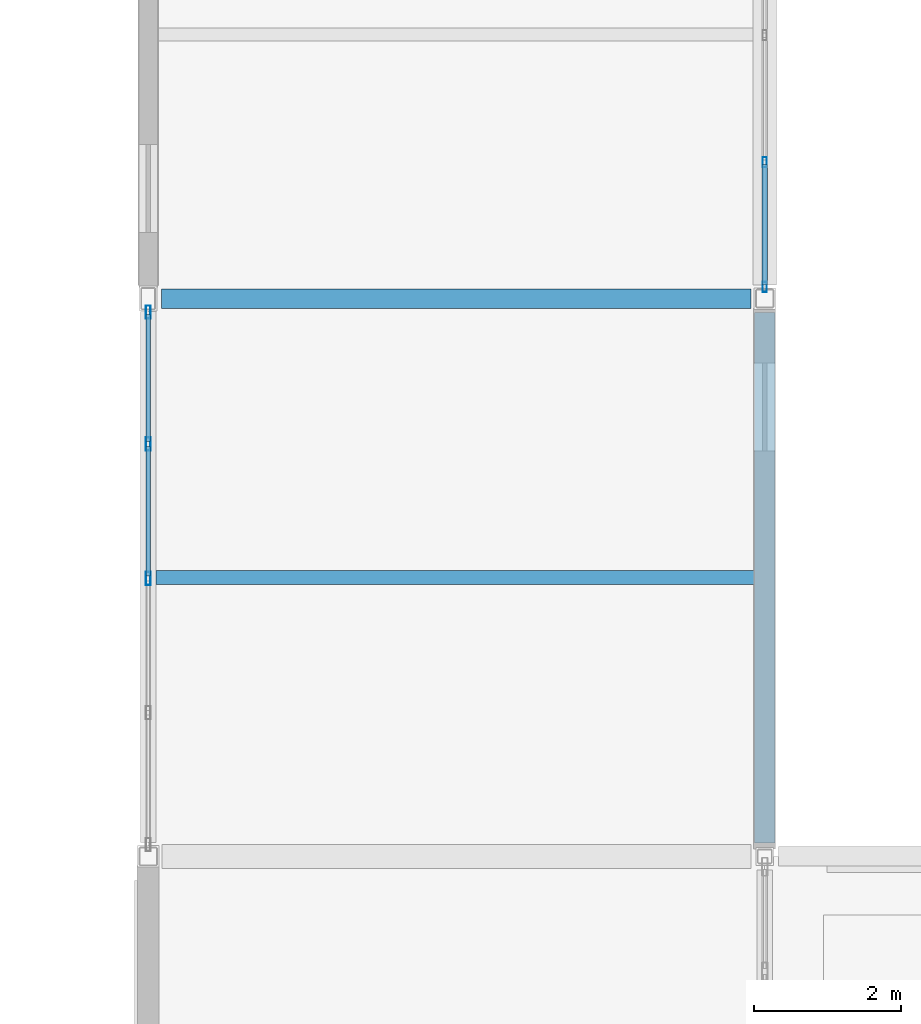
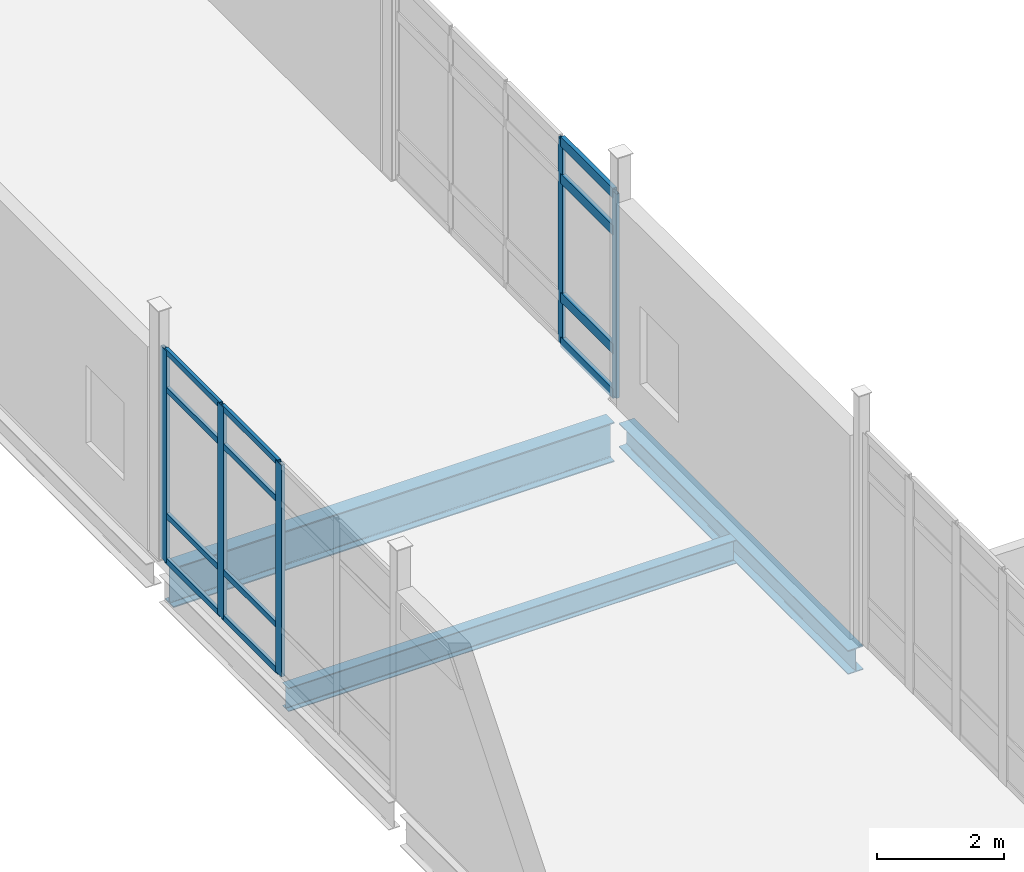
# One storey, part 52 of 153: 17 members, 3 beams, 2 elements without a shape of their own.
"""IFC4 building model written with IfcOpenShell, lengths in metres."""

from ifc_helpers import new_model, si_unit, direction, frame, origin, origin_2d, place, context, subcontext, project, spatial, hollow_rectangle, i_section, extrude, material, layer, layer_set, material_profile, profile_set, type_object, element, aggregate, save


model = new_model("IFC4")

# Units and contexts
model_context = context("Model", 3, precision=1e-05, world=origin(), true_north=direction((0.0, 1.0)))
body_context = subcontext(model_context, "Body", "Model", "MODEL_VIEW")
ifc_project = project(units=[si_unit("LENGTHUNIT", "METRE"), si_unit("AREAUNIT", "SQUARE_METRE"), si_unit("VOLUMEUNIT", "CUBIC_METRE"), si_unit("PLANEANGLEUNIT", "RADIAN"), si_unit("MASSUNIT", "GRAM", prefix="KILO")], contexts=[model_context])

# Site, building, storey
site_placement = place(None, origin())
site = spatial("IfcSite", under=ifc_project, at=site_placement, CompositionType="ELEMENT")
building_placement = place(site_placement, origin())
building = spatial("IfcBuilding", under=site, at=building_placement, Name="Calvrana Isthmian Art Gallery", CompositionType="ELEMENT")
storey_placement = place(building_placement, frame((0.0, 0.0, 10.199951171875)))
storey = spatial("IfcBuildingStorey", under=building, at=storey_placement, Name="L02", CompositionType="ELEMENT", Elevation=10.199951171875)

# Beams
ifc_material_1 = material(Name="Steel ASTM A992 Gr 50", Category="steel")
ifc_material_profile_1 = material_profile(ifc_material_1, i_section(OverallWidth=0.279052734375, OverallDepth=0.4619140625, WebThickness=0.0107421875, FlangeThickness=0.017333984375, FilletRadius=0.02001953125, at=origin_2d()), Name="W18X76")
ifc_profile_set_1 = profile_set([ifc_material_profile_1], Name="Steel ASTM A992 Gr 50")
beam_type_1 = type_object("IfcBeamType", Name="BM-G-W18X76", PredefinedType="BEAM", material=ifc_profile_set_1)
beam_1_placement = place(storey_placement, frame((63.60009765625, 62.18408203125, -0.495849609375), z_axis=(0.0, 1.0, 0.0), x_axis=(-1.0, 0.0, 0.0)))
element("IfcBeam", 1, at=beam_1_placement, inside=storey, type_object=beam_type_1, Name="Girder Y L02 09/I-J", PredefinedType="BEAM", context=body_context, shape_type="SweptSolid", body=[
    extrude(i_section(OverallWidth=0.279052734375, OverallDepth=0.4619140625, WebThickness=0.0107421875, FlangeThickness=0.017333984375, FilletRadius=0.02001953125, at=origin_2d()), origin(), (0.0, 0.0, 1.0), 7.2294921875),
])
ifc_material_profile_2 = material_profile(ifc_material_1, i_section(OverallWidth=0.26708984375, OverallDepth=0.761962890625, WebThickness=0.014404296875, FlangeThickness=0.021484375, FilletRadius=0.02490234375, at=origin_2d()), Name="W30X116")
ifc_profile_set_2 = profile_set([ifc_material_profile_2], Name="Steel ASTM A992 Gr 50")
beam_type_2 = type_object("IfcBeamType", Name="BM-G-W30X116", PredefinedType="BEAM", material=ifc_profile_set_2)
beam_2_placement = place(storey_placement, frame((55.384033203125, 69.60009765625, -0.64599609375), z_axis=(1.0, 0.0, 0.0), x_axis=(0.0, 1.0, 0.0)))
element("IfcBeam", 2, at=beam_2_placement, inside=storey, type_object=beam_type_2, Name="Girder X L02 08-09/J", PredefinedType="BEAM", context=body_context, shape_type="SweptSolid", body=[
    extrude(i_section(OverallWidth=0.26708984375, OverallDepth=0.761962890625, WebThickness=0.014404296875, FlangeThickness=0.021484375, FilletRadius=0.02490234375, at=origin_2d()), origin(), (0.0, 0.0, 1.0), 8.029541015625),
])
ifc_material_profile_3 = material_profile(ifc_material_1, i_section(OverallWidth=0.19091796875, OverallDepth=0.45703125, WebThickness=0.009033203125, FlangeThickness=0.014404296875, FilletRadius=0.02001953125, at=origin_2d()), Name="W18X50")
ifc_profile_set_3 = profile_set([ifc_material_profile_3], Name="Steel ASTM A992 Gr 50")
beam_type_3 = type_object("IfcBeamType", Name="BM-J-W18X50", PredefinedType="JOIST", material=ifc_profile_set_3)
beam_3_placement = place(storey_placement, frame((55.304443359375, 65.800048828125, -0.493408203125), z_axis=(1.0, 0.0, 0.0), x_axis=(0.0, 1.0, 0.0)))
element("IfcBeam", 3, at=beam_3_placement, inside=storey, type_object=beam_type_3, Name="Composite joist L02 bay 07-08", PredefinedType="JOIST", context=body_context, shape_type="SweptSolid", body=[
    extrude(i_section(OverallWidth=0.19091796875, OverallDepth=0.45703125, WebThickness=0.009033203125, FlangeThickness=0.014404296875, FilletRadius=0.02001953125, at=origin_2d()), origin(), (0.0, 0.0, 1.0), 8.156005859375),
])

# Curtain wall, members
ifc_material_2 = material(Name="Anodized bronze aluminium 6063-T6", Category="aluminium")
ifc_layer_1 = layer(ifc_material_2, 0.179931640625, Name="Anodized bronze aluminium 6063-T6")
ifc_layer_set_1 = layer_set([ifc_layer_1], Name="Anodized bronze aluminium 6063-T6")
curtain_wall_type_1 = type_object("IfcCurtainWallType", Name="CW-UNIT-069X39", PredefinedType="USERDEFINED", material=ifc_layer_set_1)
curtain_wall_1_placement = place(storey_placement, origin())
curtain_wall_1 = element("IfcCurtainWall", 4, at=curtain_wall_1_placement, inside=storey, type_object=curtain_wall_type_1, Name="Curtain wall CW-174", ObjectType="UNITISED CURTAIN WALL", PredefinedType="USERDEFINED")
ifc_material_profile_4 = material_profile(ifc_material_2, hollow_rectangle(XDim=0.06005859375, YDim=0.139892578125, WallThickness=0.00390625, at=origin_2d()), Name="CWM60X140")
ifc_profile_set_4 = profile_set([ifc_material_profile_4], Name="Anodized bronze aluminium 6063-T6")
member_type_1 = type_object("IfcMemberType", Name="CWM-CWM60X140", PredefinedType="MULLION", material=ifc_profile_set_4)
member_1_placement = place(storey_placement, frame((63.60009765625, 71.45703125, 0.0), z_axis=(0.0, 0.0, 1.0), x_axis=(1.0, 0.0, 0.0)))
member_1 = element("IfcMember", 5, at=member_1_placement, type_object=member_type_1, Name="CW-174 mullion 4", PredefinedType="MULLION", context=body_context, shape_type="SweptSolid", body=[
    extrude(hollow_rectangle(XDim=0.06005859375, YDim=0.139892578125, WallThickness=0.00390625, at=origin_2d()), origin(), (0.0, 0.0, 1.0), 3.93310546875),
])
member_2_placement = place(storey_placement, frame((63.60009765625, 69.757080078125, 0.0), z_axis=(0.0, 0.0, 1.0), x_axis=(1.0, 0.0, 0.0)))
member_2 = element("IfcMember", 6, at=member_2_placement, type_object=member_type_1, Name="CW-174 mullion 5", PredefinedType="MULLION", context=body_context, shape_type="SweptSolid", body=[
    extrude(hollow_rectangle(XDim=0.06005859375, YDim=0.139892578125, WallThickness=0.00390625, at=origin_2d()), origin(), (0.0, 0.0, 1.0), 3.93310546875),
])

ifc_layer_2 = layer(ifc_material_2, 0.179931640625, Name="Anodized bronze aluminium 6063-T6")
ifc_layer_set_2 = layer_set([ifc_layer_2], Name="Anodized bronze aluminium 6063-T6")
curtain_wall_type_2 = type_object("IfcCurtainWallType", Name="CW-UNIT-073X41", PredefinedType="USERDEFINED", material=ifc_layer_set_2)
curtain_wall_2_placement = place(storey_placement, origin())
curtain_wall_2 = element("IfcCurtainWall", 7, at=curtain_wall_2_placement, inside=storey, type_object=curtain_wall_type_2, Name="Curtain wall CW-170", ObjectType="UNITISED CURTAIN WALL", PredefinedType="USERDEFINED")
ifc_material_profile_5 = material_profile(ifc_material_2, hollow_rectangle(XDim=0.06494140625, YDim=0.179931640625, WallThickness=0.00439453125, at=origin_2d()), Name="CWM65X180")
ifc_profile_set_5 = profile_set([ifc_material_profile_5], Name="Anodized bronze aluminium 6063-T6")
member_type_2 = type_object("IfcMemberType", Name="CWM-CWM65X180", PredefinedType="MULLION", material=ifc_profile_set_5)
member_3_placement = place(storey_placement, frame((55.199951171875, 65.787353515625, 0.0), z_axis=(0.0, 0.0, 1.0), x_axis=(-1.0, 0.0, 0.0)))
member_3 = element("IfcMember", 8, at=member_3_placement, type_object=member_type_2, Name="CW-170 mullion 3", PredefinedType="MULLION", context=body_context, shape_type="SweptSolid", body=[
    extrude(hollow_rectangle(XDim=0.06494140625, YDim=0.179931640625, WallThickness=0.00439453125, at=origin_2d()), origin(), (0.0, 0.0, 1.0), 4.078125),
])
member_4_placement = place(storey_placement, frame((55.199951171875, 67.617431640625, 0.0), z_axis=(0.0, 0.0, 1.0), x_axis=(-1.0, 0.0, 0.0)))
member_4 = element("IfcMember", 9, at=member_4_placement, type_object=member_type_2, Name="CW-170 mullion 4", PredefinedType="MULLION", context=body_context, shape_type="SweptSolid", body=[
    extrude(hollow_rectangle(XDim=0.06494140625, YDim=0.179931640625, WallThickness=0.00439453125, at=origin_2d()), origin(), (0.0, 0.0, 1.0), 4.078125),
])
member_5_placement = place(storey_placement, frame((55.199951171875, 69.4150390625, 0.0), z_axis=(0.0, 0.0, 1.0), x_axis=(-1.0, 0.0, 0.0)))
member_5 = element("IfcMember", 10, at=member_5_placement, type_object=member_type_2, Name="CW-170 mullion 5", PredefinedType="MULLION", context=body_context, shape_type="SweptSolid", body=[
    extrude(hollow_rectangle(XDim=0.06494140625, YDim=0.179931640625, WallThickness=0.00439453125, at=origin_2d()), origin(), (0.0, 0.0, 1.0), 4.078125),
])
ifc_material_profile_6 = material_profile(ifc_material_2, hollow_rectangle(XDim=0.06005859375, YDim=0.110107421875, WallThickness=0.00341796875, at=origin_2d()), Name="CWT60X110")
ifc_profile_set_6 = profile_set([ifc_material_profile_6], Name="Anodized bronze aluminium 6063-T6")
member_type_3 = type_object("IfcMemberType", Name="CWT-CWT60X110", PredefinedType="USERDEFINED", material=ifc_profile_set_6)
member_6_placement = place(storey_placement, frame((55.199951171875, 65.81982421875, 0.030029296875), z_axis=(0.0, 1.0, 0.0), x_axis=(-1.0, 0.0, 0.0)))
member_6 = element("IfcMember", 11, at=member_6_placement, type_object=member_type_3, Name="CW-170 transom 3.1", ObjectType="TRANSOM", PredefinedType="USERDEFINED", context=body_context, shape_type="SweptSolid", body=[
    extrude(hollow_rectangle(XDim=0.06005859375, YDim=0.110107421875, WallThickness=0.00341796875, at=origin_2d()), origin(), (0.0, 0.0, 1.0), 1.76513671875),
])
member_7_placement = place(storey_placement, frame((55.199951171875, 65.81982421875, 0.900146484375), z_axis=(0.0, 1.0, 0.0), x_axis=(-1.0, 0.0, 0.0)))
member_7 = element("IfcMember", 12, at=member_7_placement, type_object=member_type_3, Name="CW-170 transom 3.2", ObjectType="TRANSOM", PredefinedType="USERDEFINED", context=body_context, shape_type="SweptSolid", body=[
    extrude(hollow_rectangle(XDim=0.06005859375, YDim=0.110107421875, WallThickness=0.00341796875, at=origin_2d()), origin(), (0.0, 0.0, 1.0), 1.76513671875),
])
member_8_placement = place(storey_placement, frame((55.199951171875, 65.81982421875, 3.328125), z_axis=(0.0, 1.0, 0.0), x_axis=(-1.0, 0.0, 0.0)))
member_8 = element("IfcMember", 13, at=member_8_placement, type_object=member_type_3, Name="CW-170 transom 3.3", ObjectType="TRANSOM", PredefinedType="USERDEFINED", context=body_context, shape_type="SweptSolid", body=[
    extrude(hollow_rectangle(XDim=0.06005859375, YDim=0.110107421875, WallThickness=0.00341796875, at=origin_2d()), origin(), (0.0, 0.0, 1.0), 1.76513671875),
])
member_9_placement = place(storey_placement, frame((55.199951171875, 65.81982421875, 4.048095703125), z_axis=(0.0, 1.0, 0.0), x_axis=(-1.0, 0.0, 0.0)))
member_9 = element("IfcMember", 14, at=member_9_placement, type_object=member_type_3, Name="CW-170 transom 3.4", ObjectType="TRANSOM", PredefinedType="USERDEFINED", context=body_context, shape_type="SweptSolid", body=[
    extrude(hollow_rectangle(XDim=0.06005859375, YDim=0.110107421875, WallThickness=0.00341796875, at=origin_2d()), origin(), (0.0, 0.0, 1.0), 1.76513671875),
])
member_10_placement = place(storey_placement, frame((55.199951171875, 67.64990234375, 0.030029296875), z_axis=(0.0, 1.0, 0.0), x_axis=(-1.0, 0.0, 0.0)))
member_10 = element("IfcMember", 15, at=member_10_placement, type_object=member_type_3, Name="CW-170 transom 4.1", ObjectType="TRANSOM", PredefinedType="USERDEFINED", context=body_context, shape_type="SweptSolid", body=[
    extrude(hollow_rectangle(XDim=0.06005859375, YDim=0.110107421875, WallThickness=0.00341796875, at=origin_2d()), origin(), (0.0, 0.0, 1.0), 1.732666015625),
])
member_11_placement = place(storey_placement, frame((55.199951171875, 67.64990234375, 0.900146484375), z_axis=(0.0, 1.0, 0.0), x_axis=(-1.0, 0.0, 0.0)))
member_11 = element("IfcMember", 16, at=member_11_placement, type_object=member_type_3, Name="CW-170 transom 4.2", ObjectType="TRANSOM", PredefinedType="USERDEFINED", context=body_context, shape_type="SweptSolid", body=[
    extrude(hollow_rectangle(XDim=0.06005859375, YDim=0.110107421875, WallThickness=0.00341796875, at=origin_2d()), origin(), (0.0, 0.0, 1.0), 1.732666015625),
])
member_12_placement = place(storey_placement, frame((55.199951171875, 67.64990234375, 3.328125), z_axis=(0.0, 1.0, 0.0), x_axis=(-1.0, 0.0, 0.0)))
member_12 = element("IfcMember", 17, at=member_12_placement, type_object=member_type_3, Name="CW-170 transom 4.3", ObjectType="TRANSOM", PredefinedType="USERDEFINED", context=body_context, shape_type="SweptSolid", body=[
    extrude(hollow_rectangle(XDim=0.06005859375, YDim=0.110107421875, WallThickness=0.00341796875, at=origin_2d()), origin(), (0.0, 0.0, 1.0), 1.732666015625),
])
member_13_placement = place(storey_placement, frame((55.199951171875, 67.64990234375, 4.048095703125), z_axis=(0.0, 1.0, 0.0), x_axis=(-1.0, 0.0, 0.0)))
member_13 = element("IfcMember", 18, at=member_13_placement, type_object=member_type_3, Name="CW-170 transom 4.4", ObjectType="TRANSOM", PredefinedType="USERDEFINED", context=body_context, shape_type="SweptSolid", body=[
    extrude(hollow_rectangle(XDim=0.06005859375, YDim=0.110107421875, WallThickness=0.00341796875, at=origin_2d()), origin(), (0.0, 0.0, 1.0), 1.732666015625),
])
aggregate(curtain_wall_2, [member_3, member_4, member_5, member_6, member_7, member_8, member_9, member_10, member_11, member_12, member_13])

# Member
ifc_material_profile_7 = material_profile(ifc_material_2, hollow_rectangle(XDim=0.074951171875, YDim=0.18994140625, WallThickness=0.00439453125, at=origin_2d()), Name="CWT75X190")
ifc_profile_set_7 = profile_set([ifc_material_profile_7], Name="Anodized bronze aluminium 6063-T6")
member_type_4 = type_object("IfcMemberType", Name="CWT-CWT75X190", PredefinedType="USERDEFINED", material=ifc_profile_set_7)
member_14_placement = place(storey_placement, frame((63.60009765625, 71.42724609375, 0.03759765625), z_axis=(0.0, -1.0, 0.0), x_axis=(1.0, 0.0, 0.0)))
member_14 = element("IfcMember", 19, at=member_14_placement, type_object=member_type_4, Name="CW-174 transom 4.1", ObjectType="TRANSOM", PredefinedType="USERDEFINED", context=body_context, shape_type="SweptSolid", body=[
    extrude(hollow_rectangle(XDim=0.074951171875, YDim=0.18994140625, WallThickness=0.00439453125, at=origin_2d()), origin(), (0.0, 0.0, 1.0), 1.64013671875),
])

member_15_placement = place(storey_placement, frame((63.60009765625, 71.42724609375, 0.900146484375), z_axis=(0.0, -1.0, 0.0), x_axis=(1.0, 0.0, 0.0)))
member_15 = element("IfcMember", 20, at=member_15_placement, type_object=member_type_4, Name="CW-174 transom 4.2", ObjectType="TRANSOM", PredefinedType="USERDEFINED", context=body_context, shape_type="SweptSolid", body=[
    extrude(hollow_rectangle(XDim=0.074951171875, YDim=0.18994140625, WallThickness=0.00439453125, at=origin_2d()), origin(), (0.0, 0.0, 1.0), 1.64013671875),
])

member_16_placement = place(storey_placement, frame((63.60009765625, 71.42724609375, 3.18310546875), z_axis=(0.0, -1.0, 0.0), x_axis=(1.0, 0.0, 0.0)))
member_16 = element("IfcMember", 21, at=member_16_placement, type_object=member_type_4, Name="CW-174 transom 4.3", ObjectType="TRANSOM", PredefinedType="USERDEFINED", context=body_context, shape_type="SweptSolid", body=[
    extrude(hollow_rectangle(XDim=0.074951171875, YDim=0.18994140625, WallThickness=0.00439453125, at=origin_2d()), origin(), (0.0, 0.0, 1.0), 1.64013671875),
])

member_17_placement = place(storey_placement, frame((63.60009765625, 71.42724609375, 3.8955078125), z_axis=(0.0, -1.0, 0.0), x_axis=(1.0, 0.0, 0.0)))
member_17 = element("IfcMember", 22, at=member_17_placement, type_object=member_type_4, Name="CW-174 transom 4.4", ObjectType="TRANSOM", PredefinedType="USERDEFINED", context=body_context, shape_type="SweptSolid", body=[
    extrude(hollow_rectangle(XDim=0.074951171875, YDim=0.18994140625, WallThickness=0.00439453125, at=origin_2d()), origin(), (0.0, 0.0, 1.0), 1.64013671875),
])

aggregate(curtain_wall_1, [member_1, member_2, member_14, member_15, member_16, member_17])

save(model, "model.ifc")
